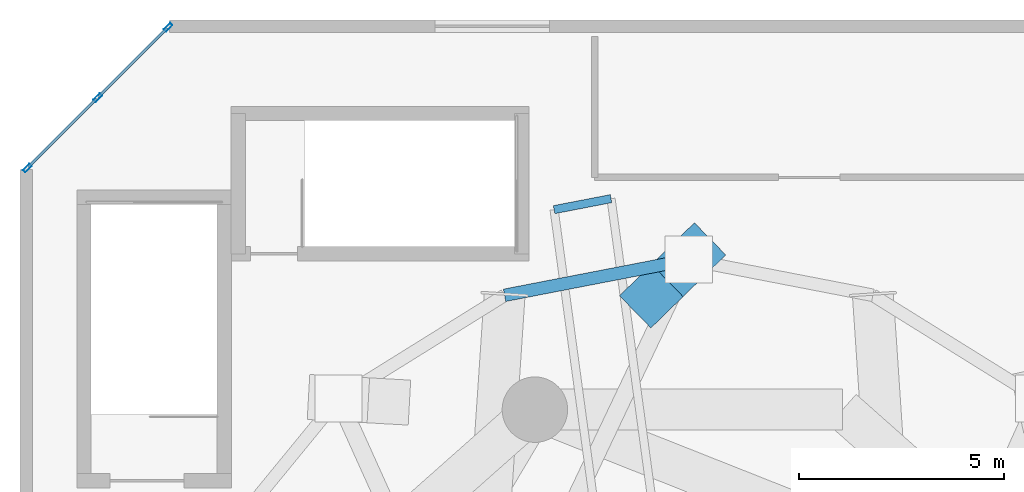
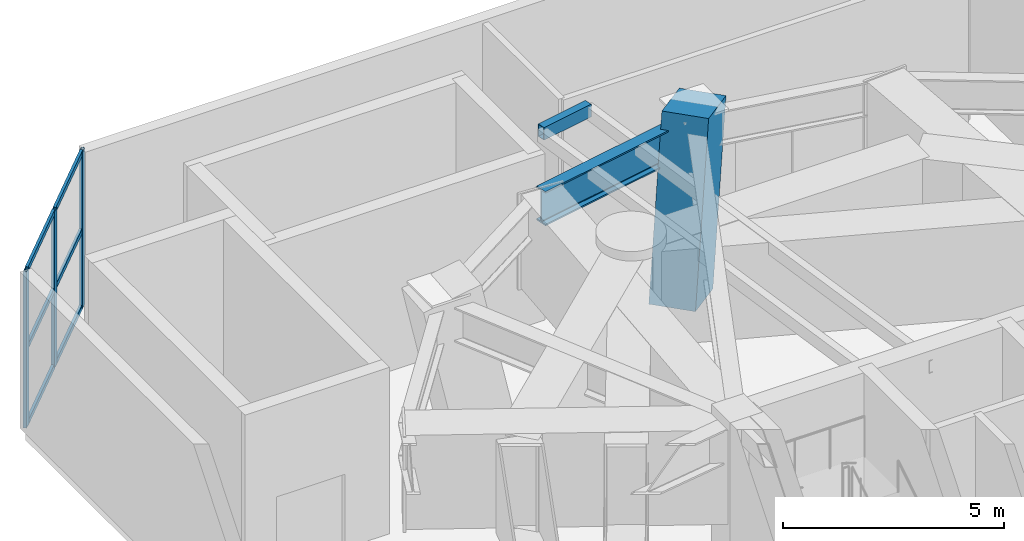
# One storey, part 6 of 25: 10 members, 2 beams, 1 element without a shape of its own.
"""IFC4 building model written with IfcOpenShell, lengths in metres."""

from ifc_helpers import new_model, si_unit, direction, frame, origin, origin_2d, place, context, subcontext, project, spatial, rectangle, hollow_rectangle, i_section, extrude, material, layer, layer_set, material_profile, profile_set, type_object, element, aggregate, save


model = new_model("IFC4")

# Units and contexts
model_context = context("Model", 3, precision=1e-05, world=origin(), true_north=direction((0.0, 1.0)))
body_context = subcontext(model_context, "Body", "Model", "MODEL_VIEW")
ifc_project = project(units=[si_unit("LENGTHUNIT", "METRE"), si_unit("AREAUNIT", "SQUARE_METRE"), si_unit("VOLUMEUNIT", "CUBIC_METRE"), si_unit("PLANEANGLEUNIT", "RADIAN"), si_unit("MASSUNIT", "GRAM", prefix="KILO")], contexts=[model_context])

# Site, building, storey
site_placement = place(None, origin())
site = spatial("IfcSite", under=ifc_project, at=site_placement, CompositionType="ELEMENT")
building_placement = place(site_placement, origin())
building = spatial("IfcBuilding", under=site, at=building_placement, Name="Cununo Teusaquillo Station Towers", CompositionType="ELEMENT")
storey_placement = place(building_placement, frame((0.0, 0.0, 17.39990234375)))
storey = spatial("IfcBuildingStorey", under=building, at=storey_placement, Name="L04", CompositionType="ELEMENT", Elevation=17.39990234375)

# Beams
ifc_material_1 = material(Name="Steel ASTM A572 Grade 50", Category="steel")
ifc_material_profile_1 = material_profile(ifc_material_1, i_section(OverallWidth=0.30810546875, OverallDepth=0.943115234375, WebThickness=0.022216796875, FlangeThickness=0.039794921875, FilletRadius=0.02392578125, at=origin_2d()), Name="W36X232")
ifc_profile_set_1 = profile_set([ifc_material_profile_1], Name="Steel ASTM A572 Grade 50")
beam_type_1 = type_object("IfcBeamType", Name="BM-POD-SEC", PredefinedType="BEAM", material=ifc_profile_set_1)
beam_1_placement = place(storey_placement, frame((16.5, 42.2900390625, 3.8681640625), z_axis=(-0.981805791302, -0.189887830482, 0.0), x_axis=(0.189887830482, -0.981805791302, 0.0)))
element("IfcBeam", 1, at=beam_1_placement, inside=storey, type_object=beam_type_1, Name="L04 Tower A Outer Diagrid Shoe Ring Girder 06", PredefinedType="BEAM", context=body_context, shape_type="SweptSolid", body=[
    extrude(i_section(OverallWidth=0.30810546875, OverallDepth=0.943115234375, WebThickness=0.022216796875, FlangeThickness=0.039794921875, FilletRadius=0.02392578125, at=origin_2d()), origin(), (0.0, 0.0, 1.0), 4.586181640625),
])
ifc_material_2 = material(Name="Steel EN 10025-2 S355J2", Category="steel")
ifc_material_profile_2 = material_profile(ifc_material_2, hollow_rectangle(XDim=0.199951171875, YDim=0.35009765625, WallThickness=0.013916015625, at=origin_2d()), Name="RHS 350x200x14")
ifc_profile_set_2 = profile_set([ifc_material_profile_2], Name="Steel EN 10025-2 S355J2")
beam_type_2 = type_object("IfcBeamType", Name="BM-STAIR-TRIM", PredefinedType="BEAM", material=ifc_profile_set_2)
beam_2_placement = place(storey_placement, frame((14.60009765625, 43.782470703125, 4.215087890625), z_axis=(-0.981819220437, -0.189818382618, 0.0), x_axis=(0.189818382618, -0.981819220437, 0.0)))
element("IfcBeam", 2, at=beam_2_placement, inside=storey, type_object=beam_type_2, Name="L04 Tower A Balcony Edge Trimmer Beam 1", PredefinedType="BEAM", context=body_context, shape_type="SweptSolid", body=[
    extrude(hollow_rectangle(XDim=0.199951171875, YDim=0.35009765625, WallThickness=0.013916015625, at=origin_2d()), origin(), (0.0, 0.0, 1.0), 1.41748046875),
])

# Curtain wall, members
ifc_material_3 = material(Name="Ceramic-fritted dark low-E double glazing", Category="glass")
ifc_layer = layer(ifc_material_3, 0.179931640625)
ifc_layer_set = layer_set([ifc_layer], Name="Ceramic-fritted dark low-E double glazing")
curtain_wall_type = type_object("IfcCurtainWallType", Name="CW-SYS-01", PredefinedType="USERDEFINED", material=ifc_layer_set)
curtain_wall_placement = place(storey_placement, origin())
curtain_wall = element("IfcCurtainWall", 3, at=curtain_wall_placement, inside=storey, type_object=curtain_wall_type, Name="L04 Station Podium Corner Curtain Wall 2", ObjectType="FRITTED GLAZING", PredefinedType="USERDEFINED")
ifc_material_4 = material(Name="Anodised dark bronze aluminium EN AW-6063-T6", Category="aluminium")
ifc_material_profile_3 = material_profile(ifc_material_4, hollow_rectangle(XDim=0.080078125, YDim=0.219970703125, WallThickness=0.0048828125, at=origin_2d()), Name="CW-MULL-80x220")
ifc_profile_set_3 = profile_set([ifc_material_profile_3], Name="Anodised dark bronze aluminium EN AW-6063-T6")
member_type_1 = type_object("IfcMemberType", Name="CWM-220", PredefinedType="MULLION", material=ifc_profile_set_3)
member_1_placement = place(storey_placement, frame((0.328369140625, 44.5283203125, 0.0), z_axis=(0.0, 0.0, 1.0), x_axis=(-0.707106781187, 0.707106781187, 0.0)))
member_1 = element("IfcMember", 4, at=member_1_placement, type_object=member_type_1, Name="CW-01 mullion 1", PredefinedType="MULLION", context=body_context, shape_type="SweptSolid", body=[
    extrude(hollow_rectangle(XDim=0.080078125, YDim=0.219970703125, WallThickness=0.0048828125, at=origin_2d()), origin(), (0.0, 0.0, 1.0), 4.3251953125),
])
member_2_placement = place(storey_placement, frame((2.050048828125, 46.25, 0.0), z_axis=(0.0, 0.0, 1.0), x_axis=(-0.707106781187, 0.707106781187, 0.0)))
member_2 = element("IfcMember", 5, at=member_2_placement, type_object=member_type_1, Name="CW-01 mullion 2", PredefinedType="MULLION", context=body_context, shape_type="SweptSolid", body=[
    extrude(hollow_rectangle(XDim=0.080078125, YDim=0.219970703125, WallThickness=0.0048828125, at=origin_2d()), origin(), (0.0, 0.0, 1.0), 4.3251953125),
])
member_3_placement = place(storey_placement, frame((3.771728515625, 47.9716796875, 0.0), z_axis=(0.0, 0.0, 1.0), x_axis=(-0.707106781187, 0.707106781187, 0.0)))
member_3 = element("IfcMember", 6, at=member_3_placement, type_object=member_type_1, Name="CW-01 mullion 3", PredefinedType="MULLION", context=body_context, shape_type="SweptSolid", body=[
    extrude(hollow_rectangle(XDim=0.080078125, YDim=0.219970703125, WallThickness=0.0048828125, at=origin_2d()), origin(), (0.0, 0.0, 1.0), 4.3251953125),
])
ifc_material_5 = material(Name="Anodised dark bronze aluminium EN AW-6063-T6", Category="aluminium")
ifc_material_profile_4 = material_profile(ifc_material_5, hollow_rectangle(XDim=0.070068359375, YDim=0.139892578125, WallThickness=0.00390625, at=origin_2d()), Name="CW-TRAN-70x140")
ifc_profile_set_4 = profile_set([ifc_material_profile_4], Name="Anodised dark bronze aluminium EN AW-6063-T6")
member_type_2 = type_object("IfcMemberType", Name="CWT-140", PredefinedType="USERDEFINED", material=ifc_profile_set_4)
member_4_placement = place(storey_placement, frame((0.356689453125, 44.556640625, 0.03515625), z_axis=(0.707106781187, 0.707106781187, 0.0), x_axis=(-0.707106781187, 0.707106781187, 0.0)))
member_4 = element("IfcMember", 7, at=member_4_placement, type_object=member_type_2, Name="CW-01 transom 1.1", ObjectType="TRANSOM", PredefinedType="USERDEFINED", context=body_context, shape_type="SweptSolid", body=[
    extrude(hollow_rectangle(XDim=0.070068359375, YDim=0.139892578125, WallThickness=0.00390625, at=origin_2d()), origin(), (0.0, 0.0, 1.0), 2.354736328125),
])
member_5_placement = place(storey_placement, frame((0.356689453125, 44.556640625, 2.150146484375), z_axis=(0.707106781187, 0.707106781187, 0.0), x_axis=(-0.707106781187, 0.707106781187, 0.0)))
member_5 = element("IfcMember", 8, at=member_5_placement, type_object=member_type_2, Name="CW-01 transom 1.2", ObjectType="TRANSOM", PredefinedType="USERDEFINED", context=body_context, shape_type="SweptSolid", body=[
    extrude(hollow_rectangle(XDim=0.070068359375, YDim=0.139892578125, WallThickness=0.00390625, at=origin_2d()), origin(), (0.0, 0.0, 1.0), 2.354736328125),
])
member_6_placement = place(storey_placement, frame((0.356689453125, 44.556640625, 4.2900390625), z_axis=(0.707106781187, 0.707106781187, 0.0), x_axis=(-0.707106781187, 0.707106781187, 0.0)))
member_6 = element("IfcMember", 9, at=member_6_placement, type_object=member_type_2, Name="CW-01 transom 1.3", ObjectType="TRANSOM", PredefinedType="USERDEFINED", context=body_context, shape_type="SweptSolid", body=[
    extrude(hollow_rectangle(XDim=0.070068359375, YDim=0.139892578125, WallThickness=0.00390625, at=origin_2d()), origin(), (0.0, 0.0, 1.0), 2.354736328125),
])
member_7_placement = place(storey_placement, frame((2.078369140625, 46.2783203125, 0.03515625), z_axis=(0.707106781187, 0.707106781187, 0.0), x_axis=(-0.707106781187, 0.707106781187, 0.0)))
member_7 = element("IfcMember", 10, at=member_7_placement, type_object=member_type_2, Name="CW-01 transom 2.1", ObjectType="TRANSOM", PredefinedType="USERDEFINED", context=body_context, shape_type="SweptSolid", body=[
    extrude(hollow_rectangle(XDim=0.070068359375, YDim=0.139892578125, WallThickness=0.00390625, at=origin_2d()), origin(), (0.0, 0.0, 1.0), 2.354736328125),
])
member_8_placement = place(storey_placement, frame((2.078369140625, 46.2783203125, 2.150146484375), z_axis=(0.707106781187, 0.707106781187, 0.0), x_axis=(-0.707106781187, 0.707106781187, 0.0)))
member_8 = element("IfcMember", 11, at=member_8_placement, type_object=member_type_2, Name="CW-01 transom 2.2", ObjectType="TRANSOM", PredefinedType="USERDEFINED", context=body_context, shape_type="SweptSolid", body=[
    extrude(hollow_rectangle(XDim=0.070068359375, YDim=0.139892578125, WallThickness=0.00390625, at=origin_2d()), origin(), (0.0, 0.0, 1.0), 2.354736328125),
])
member_9_placement = place(storey_placement, frame((2.078369140625, 46.2783203125, 4.2900390625), z_axis=(0.707106781187, 0.707106781187, 0.0), x_axis=(-0.707106781187, 0.707106781187, 0.0)))
member_9 = element("IfcMember", 12, at=member_9_placement, type_object=member_type_2, Name="CW-01 transom 2.3", ObjectType="TRANSOM", PredefinedType="USERDEFINED", context=body_context, shape_type="SweptSolid", body=[
    extrude(hollow_rectangle(XDim=0.070068359375, YDim=0.139892578125, WallThickness=0.00390625, at=origin_2d()), origin(), (0.0, 0.0, 1.0), 2.354736328125),
])
aggregate(curtain_wall, [member_1, member_2, member_3, member_4, member_5, member_6, member_7, member_8, member_9])

# Member
ifc_material_6 = material(Name="Concrete C60/75", Category="concrete")
ifc_material_profile_5 = material_profile(ifc_material_6, rectangle(XDim=1.10009765625, YDim=1.5, at=origin_2d()), Name="RC-RECT-1500x1100")
ifc_profile_set_5 = profile_set([ifc_material_profile_5], Name="Concrete C60/75")
member_type_3 = type_object("IfcMemberType", Name="MBR-VFOOT", PredefinedType="USERDEFINED", material=ifc_profile_set_5)
member_10_placement = place(storey_placement, frame((15.71337890625, 41.523193359375, 0.0), z_axis=(0.166323913492, 0.162142586058, 0.972649031042), x_axis=(-0.698048865131, 0.716050125263, 0.0)))
element("IfcMember", 13, at=member_10_placement, inside=storey, type_object=member_type_3, Name="L04 Tower A Sloping Concrete V-Foot V06L", ObjectType="V FOOT STRUT", PredefinedType="USERDEFINED", context=body_context, shape_type="SweptSolid", body=[
    extrude(rectangle(XDim=1.10009765625, YDim=1.5, at=origin_2d()), origin(), (0.0, 0.0, 1.0), 4.7294921875),
])

save(model, "model.ifc")
